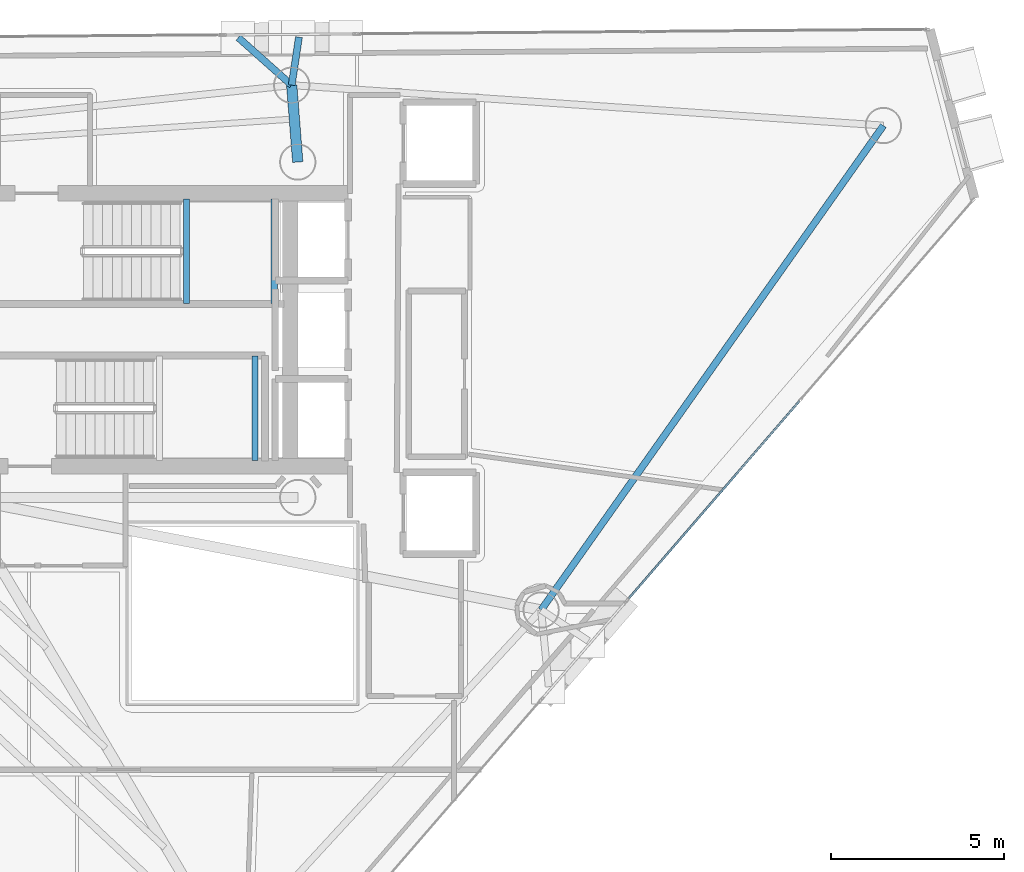
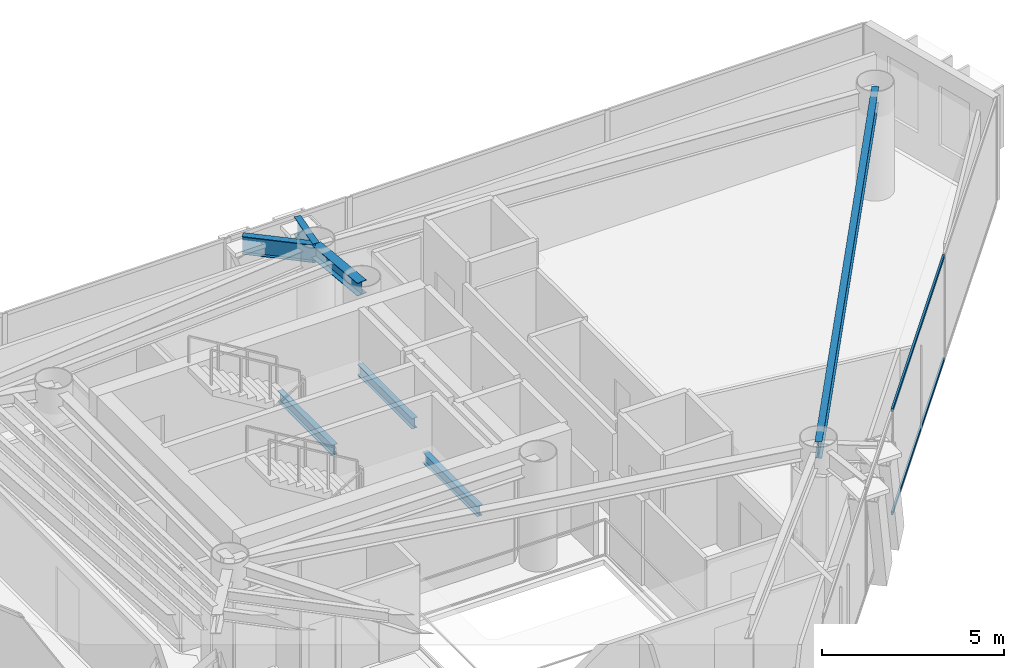
# One storey, part 10 of 21: 7 beams, 2 members, 1 element without a shape of its own.
"""IFC4 building model written with IfcOpenShell, lengths in metres."""

from ifc_helpers import new_model, si_unit, direction, frame, origin, origin_2d, place, context, subcontext, project, spatial, hollow_rectangle, i_section, extrude, material, layer, layer_set, material_profile, profile_set, type_object, element, aggregate, save


model = new_model("IFC4")

# Units and contexts
model_context = context("Model", 3, precision=1e-05, world=origin(), true_north=direction((0.0, 1.0)))
body_context = subcontext(model_context, "Body", "Model", "MODEL_VIEW")
ifc_project = project(units=[si_unit("LENGTHUNIT", "METRE"), si_unit("AREAUNIT", "SQUARE_METRE"), si_unit("VOLUMEUNIT", "CUBIC_METRE"), si_unit("PLANEANGLEUNIT", "RADIAN"), si_unit("MASSUNIT", "GRAM", prefix="KILO")], contexts=[model_context])

# Site, building, storey
site_placement = place(None, origin())
site = spatial("IfcSite", under=ifc_project, at=site_placement, CompositionType="ELEMENT")
building_placement = place(site_placement, origin())
building = spatial("IfcBuilding", under=site, at=building_placement, Name="Qianvela Tower", CompositionType="ELEMENT")
storey_placement = place(building_placement, frame((0.0, 0.0, 253.800048828125)))
storey = spatial("IfcBuildingStorey", under=building, at=storey_placement, Name="L65", CompositionType="ELEMENT", Elevation=253.800048828125)

# Beams
ifc_material_1 = material(Name="Steel Q355B", Category="steel")
ifc_material_profile_1 = material_profile(ifc_material_1, i_section(OverallWidth=0.300048828125, OverallDepth=0.43994140625, WebThickness=0.010986328125, FlangeThickness=0.01806640625, at=origin_2d()), Name="HM440x300x11x18")
ifc_profile_set_1 = profile_set([ifc_material_profile_1], Name="Steel Q355B")
beam_type_1 = type_object("IfcBeamType", Name="BM-HM440-COLL", PredefinedType="BEAM", material=ifc_profile_set_1)
beam_1_placement = place(storey_placement, frame((38.39990234375, 33.550048828125, 3.2978515625), z_axis=(-0.078396085685, 0.996922290727, 0.0), x_axis=(-0.996922290727, -0.078396085685, 0.0)))
element("IfcBeam", 1, at=beam_1_placement, inside=storey, type_object=beam_type_1, Name="L65 Radial Primary Floor Girder 2", PredefinedType="BEAM", context=body_context, shape_type="SweptSolid", body=[
    extrude(i_section(OverallWidth=0.300048828125, OverallDepth=0.43994140625, WebThickness=0.010986328125, FlangeThickness=0.01806640625, at=origin_2d()), origin(), (0.0, 0.0, 1.0), 2.229736328125),
])
ifc_material_2 = material(Name="Steel Q355B", Category="steel")
ifc_material_profile_2 = material_profile(ifc_material_2, i_section(OverallWidth=0.175048828125, OverallDepth=0.35009765625, WebThickness=0.007080078125, FlangeThickness=0.010986328125, at=origin_2d()), Name="HN350x175x7x11")
ifc_profile_set_2 = profile_set([ifc_material_profile_2], Name="Steel Q355B")
beam_type_2 = type_object("IfcBeamType", Name="BM-HN350-JOIST", PredefinedType="JOIST", material=ifc_profile_set_2)
for number, where, z_axis, x_axis, name in (
    (2, (35.179931640625, 29.4599609375, 1.474853515625), (0.0, 1.0, 0.0), (-1.0, 0.0, 0.0), "L65 Stair ST-1 Landing Support Beam 1.1"),
    (3, (37.719970703125, 29.4599609375, 1.474853515625), (0.0, 1.0, 0.0), (-1.0, 0.0, 0.0), "L65 Stair ST-1 Landing Support Beam 1.2"),
    (4, (37.169921875, 24.919921875, 1.474853515625), (0.0, 1.0, 0.0), (-1.0, 0.0, 0.0), "L65 Stair ST-2 Landing Support Beam 1.2"),
):
    element("IfcBeam", number, at=place(storey_placement, frame(where, z_axis=z_axis, x_axis=x_axis)), inside=storey, type_object=beam_type_2, Name=name, PredefinedType="JOIST", context=body_context, shape_type="SweptSolid", body=[
        extrude(i_section(OverallWidth=0.175048828125, OverallDepth=0.35009765625, WebThickness=0.007080078125, FlangeThickness=0.010986328125, at=origin_2d()), origin(), (0.0, 0.0, 1.0), 3.02001953125),
    ])
ifc_material_3 = material(Name="Steel Q355B", Category="steel")
ifc_material_profile_3 = material_profile(ifc_material_3, i_section(OverallWidth=0.199951171875, OverallDepth=0.550048828125, WebThickness=0.010009765625, FlangeThickness=0.01611328125, at=origin_2d()), Name="HN550x200x10x16")
ifc_profile_set_3 = profile_set([ifc_material_profile_3], Name="Steel Q355B")
beam_type_3 = type_object("IfcBeamType", Name="BM-HN550-GIRD", PredefinedType="BEAM", material=ifc_profile_set_3)
beam_2_placement = place(storey_placement, frame((45.43603515625, 20.597900390625, 3.242919921875), z_axis=(0.577019604961, 0.816730295441, 0.0), x_axis=(-0.816730295441, 0.577019604961, 0.0)))
element("IfcBeam", 5, at=beam_2_placement, inside=storey, type_object=beam_type_3, Name="L65 Perimeter Ring Spandrel Girder 6", PredefinedType="BEAM", context=body_context, shape_type="SweptSolid", body=[
    extrude(i_section(OverallWidth=0.199951171875, OverallDepth=0.550048828125, WebThickness=0.010009765625, FlangeThickness=0.01611328125, at=origin_2d()), origin(), (0.0, 0.0, 1.0), 17.150146484375),
])
ifc_material_4 = material(Name="Steel Q355B", Category="steel")
ifc_material_profile_4 = material_profile(ifc_material_4, i_section(OverallWidth=0.199951171875, OverallDepth=0.60009765625, WebThickness=0.010986328125, FlangeThickness=0.01708984375, at=origin_2d()), Name="HN600x200x11x17")
ifc_profile_set_4 = profile_set([ifc_material_profile_4], Name="Steel Q355B")
beam_type_4 = type_object("IfcBeamType", Name="BM-HN600-GIRD", PredefinedType="BEAM", material=ifc_profile_set_4)
beam_3_placement = place(storey_placement, frame((38.22509765625, 35.77294921875, 3.218017578125), z_axis=(0.148816507103, 0.988864827574, 0.0), x_axis=(-0.988864827574, 0.148816507103, 0.0)))
element("IfcBeam", 6, at=beam_3_placement, inside=storey, type_object=beam_type_4, Name="L65 Mega-Brace Column Tie Bracket F1-1", PredefinedType="BEAM", context=body_context, shape_type="SweptSolid", body=[
    extrude(i_section(OverallWidth=0.199951171875, OverallDepth=0.60009765625, WebThickness=0.010986328125, FlangeThickness=0.01708984375, at=origin_2d()), origin(), (0.0, 0.0, 1.0), 1.404296875),
])
beam_4_placement = place(storey_placement, frame((38.22509765625, 35.77294921875, 3.218017578125), z_axis=(-0.74667904146, 0.665184492487, 0.0), x_axis=(-0.665184492487, -0.74667904146, 0.0)))
element("IfcBeam", 7, at=beam_4_placement, inside=storey, type_object=beam_type_4, Name="L65 Mega-Brace Column Tie Bracket F1-2", PredefinedType="BEAM", context=body_context, shape_type="SweptSolid", body=[
    extrude(i_section(OverallWidth=0.199951171875, OverallDepth=0.60009765625, WebThickness=0.010986328125, FlangeThickness=0.01708984375, at=origin_2d()), origin(), (0.0, 0.0, 1.0), 2.067138671875),
])

# Curtain wall, members
ifc_material_5 = material(Name="Anodised Architectural Aluminium and Low-E Glass", Category="aluminium")
ifc_layer = layer(ifc_material_5, 0.159912109375)
ifc_layer_set = layer_set([ifc_layer], Name="Anodised Architectural Aluminium and Low-E Glass")
curtain_wall_type = type_object("IfcCurtainWallType", Name="CW-COLIV-Z56", PredefinedType="USERDEFINED", material=ifc_layer_set)
curtain_wall_placement = place(storey_placement, origin())
curtain_wall = element("IfcCurtainWall", 8, at=curtain_wall_placement, inside=storey, type_object=curtain_wall_type, Name="L65 CW-COLIV-Z56 Curtain Wall 06C", ObjectType="CURTAIN_WALL_SYSTEM", PredefinedType="USERDEFINED")
ifc_material_6 = material(Name="Anodised Architectural Aluminium 6063-T6", Category="aluminium")
ifc_material_profile_5 = material_profile(ifc_material_6, hollow_rectangle(XDim=0.06005859375, YDim=0.114990234375, WallThickness=0.00390625, at=origin_2d()), Name="ALU-TRAN-60x115")
ifc_profile_set_5 = profile_set([ifc_material_profile_5], Name="Anodised Architectural Aluminium 6063-T6")
member_type = type_object("IfcMemberType", Name="CW-COLIV-Z56-TRAN", PredefinedType="USERDEFINED", material=ifc_profile_set_5)
member_1_placement = place(storey_placement, frame((47.968505859375, 20.931884765625, 0.030029296875), z_axis=(0.65405300742, 0.756448718344, 0.0), x_axis=(-0.756448718344, 0.65405300742, 0.0)))
member_1 = element("IfcMember", 9, at=member_1_placement, type_object=member_type, Name="CW-5 transom 1.1", ObjectType="TRANSOM", PredefinedType="USERDEFINED", context=body_context, shape_type="SweptSolid", body=[
    extrude(hollow_rectangle(XDim=0.06005859375, YDim=0.114990234375, WallThickness=0.00390625, at=origin_2d()), origin(), (0.0, 0.0, 1.0), 7.555908203125),
])
member_2_placement = place(storey_placement, frame((47.968505859375, 20.931884765625, 3.489990234375), z_axis=(0.65405300742, 0.756448718344, 0.0), x_axis=(-0.756448718344, 0.65405300742, 0.0)))
member_2 = element("IfcMember", 10, at=member_2_placement, type_object=member_type, Name="CW-5 transom 1.2", ObjectType="TRANSOM", PredefinedType="USERDEFINED", context=body_context, shape_type="SweptSolid", body=[
    extrude(hollow_rectangle(XDim=0.06005859375, YDim=0.114990234375, WallThickness=0.00390625, at=origin_2d()), origin(), (0.0, 0.0, 1.0), 7.555908203125),
])
aggregate(curtain_wall, [member_1, member_2])

save(model, "model.ifc")
